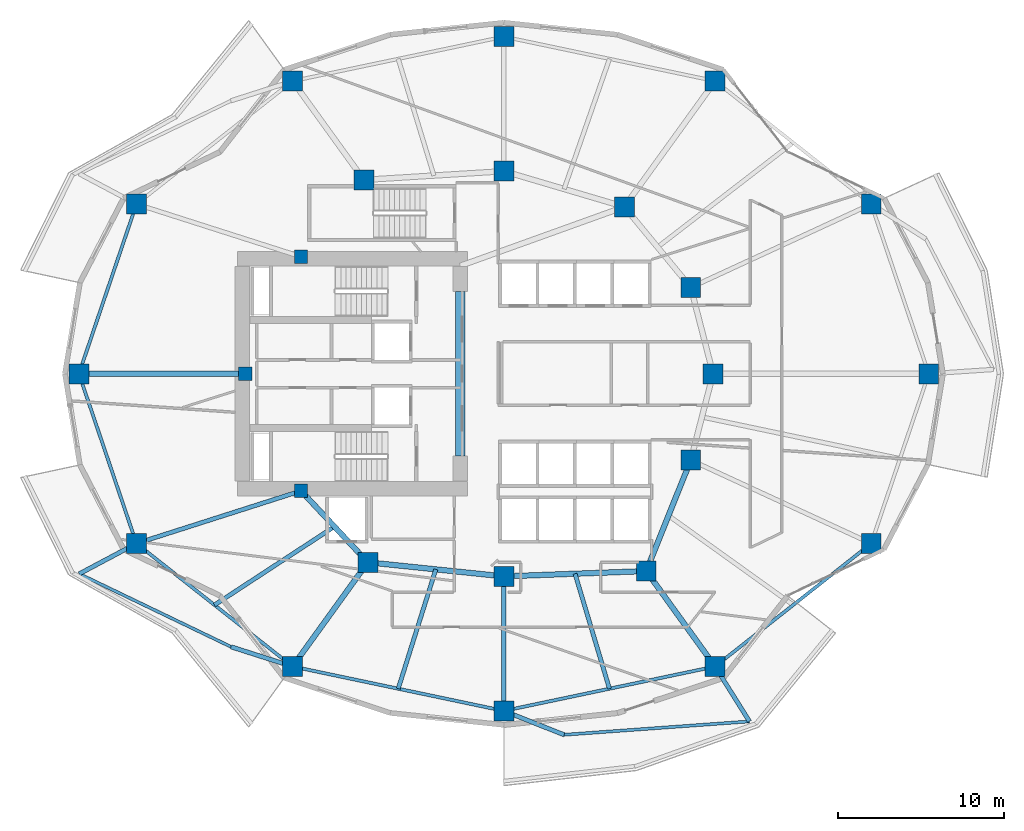
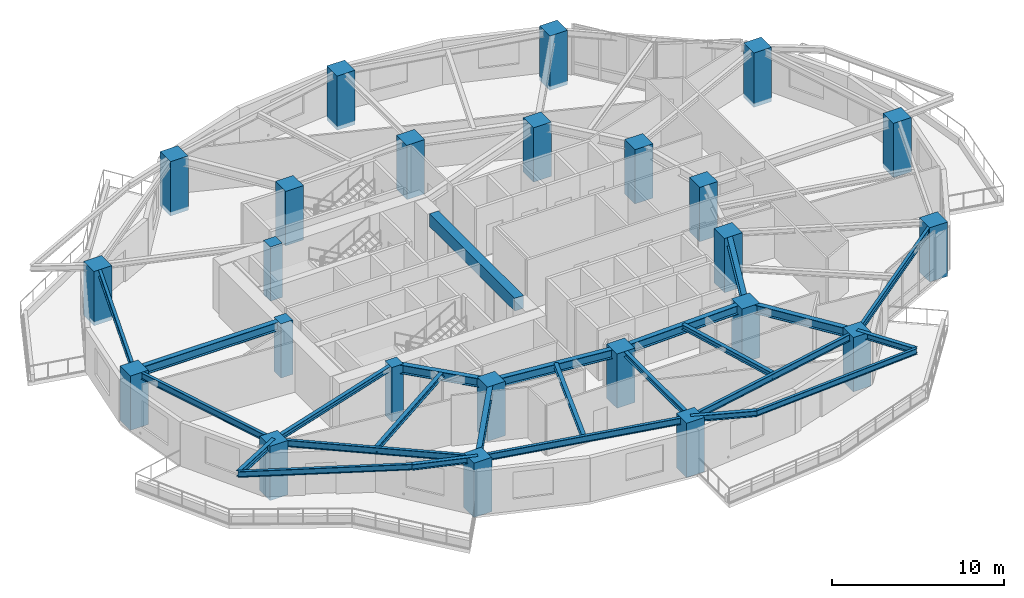
# One storey, part 1 of 13: 25 beams, 24 columns.
"""IFC4 building model written with IfcOpenShell, lengths in metres."""

from ifc_helpers import new_model, si_unit, direction, frame, origin, origin_2d, place, context, subcontext, project, spatial, rectangle, i_section, extrude, material, material_profile, profile_set, type_object, element, save


model = new_model("IFC4")

# Units and contexts
model_context = context("Model", 3, precision=1e-05, world=origin(), true_north=direction((0.0, 1.0)))
body_context = subcontext(model_context, "Body", "Model", "MODEL_VIEW")
ifc_project = project(units=[si_unit("LENGTHUNIT", "METRE"), si_unit("AREAUNIT", "SQUARE_METRE"), si_unit("VOLUMEUNIT", "CUBIC_METRE"), si_unit("PLANEANGLEUNIT", "RADIAN"), si_unit("MASSUNIT", "GRAM", prefix="KILO")], contexts=[model_context])

# Site, building, storey
site_placement = place(None, origin())
site = spatial("IfcSite", under=ifc_project, at=site_placement, CompositionType="ELEMENT")
building_placement = place(site_placement, origin())
building = spatial("IfcBuilding", under=site, at=building_placement, Name="Kolvaren Gate Tower and Convention Centre", CompositionType="ELEMENT")
storey_placement = place(building_placement, frame((0.0, 0.0, 76.550048828125)))
storey = spatial("IfcBuildingStorey", under=building, at=storey_placement, Name="L18", CompositionType="ELEMENT", Elevation=76.550048828125)

# Columns
ifc_material_1 = material(Name="Concrete C70/85", Category="concrete")
ifc_material_profile_1 = material_profile(ifc_material_1, rectangle(XDim=1.199951171875, YDim=1.199951171875, at=origin_2d()), Name="RC-COL-1200X1200")
ifc_profile_set_1 = profile_set([ifc_material_profile_1], Name="Concrete C70/85")
column_type_1 = type_object("IfcColumnType", Name="STR-COL-RC1200", PredefinedType="COLUMN", material=ifc_profile_set_1)
for number, where, z_axis, x_axis, name in (
    (1, (55.71240234375, 27.0, -0.280029296875), (0.0, 0.0, 1.0), (1.0, 0.0, 0.0), "Tower L18 Perimeter Supercolumn TP-01"),
    (2, (52.248779296875, 37.218505859375, -0.280029296875), (0.0, 0.0, 1.0), (1.0, 0.0, 0.0), "Tower L18 Perimeter Supercolumn TP-02"),
    (3, (42.846435546875, 44.627197265625, -0.280029296875), (0.0, 0.0, 1.0), (1.0, 0.0, 0.0), "Tower L18 Perimeter Supercolumn TP-03"),
    (4, (30.125, 47.300048828125, -0.280029296875), (0.0, 0.0, 1.0), (1.0, 0.0, 0.0), "Tower L18 Perimeter Supercolumn TP-04"),
    (5, (17.40380859375, 44.627197265625, -0.280029296875), (0.0, 0.0, 1.0), (1.0, 0.0, 0.0), "Tower L18 Perimeter Supercolumn TP-05"),
    (6, (8.001220703125, 37.218505859375, -0.280029296875), (0.0, 0.0, 1.0), (1.0, 0.0, 0.0), "Tower L18 Perimeter Supercolumn TP-06"),
    (7, (4.53759765625, 27.0, -0.280029296875), (0.0, 0.0, 1.0), (1.0, 0.0, 0.0), "Tower L18 Perimeter Supercolumn TP-07"),
    (8, (8.001220703125, 16.781494140625, -0.280029296875), (0.0, 0.0, 1.0), (1.0, 0.0, 0.0), "Tower L18 Perimeter Supercolumn TP-08"),
    (9, (17.403564453125, 9.372802734375, -0.280029296875), (0.0, 0.0, 1.0), (1.0, 0.0, 0.0), "Tower L18 Perimeter Supercolumn TP-09"),
    (10, (30.125, 6.699951171875, -0.280029296875), (0.0, 0.0, 1.0), (1.0, 0.0, 0.0), "Tower L18 Perimeter Supercolumn TP-10"),
    (11, (42.846435546875, 9.372802734375, -0.280029296875), (0.0, 0.0, 1.0), (1.0, 0.0, 0.0), "Tower L18 Perimeter Supercolumn TP-11"),
    (12, (52.248779296875, 16.781494140625, -0.280029296875), (0.0, 0.0, 1.0), (1.0, 0.0, 0.0), "Tower L18 Perimeter Supercolumn TP-12"),
    (13, (42.72509765625, 27.0, -0.280029296875), (0.0, 0.0, 1.0), (1.0, 0.0, 0.0), "Tower L18 Interior Column TI-01"),
    (14, (41.382080078125, 32.199462890625, -0.280029296875), (0.0, 0.0, 1.0), (1.0, 0.0, 0.0), "Tower L18 Interior Column TI-02"),
    (15, (37.381591796875, 37.054931640625, -0.280029296875), (0.0, 0.0, 1.0), (1.0, 0.0, 0.0), "Tower L18 Interior Column TI-03"),
    (16, (30.125, 39.199951171875, -0.280029296875), (0.0, 0.0, 1.0), (1.0, 0.0, 0.0), "Tower L18 Interior Column TI-04"),
    (17, (21.697998046875, 38.6767578125, -0.280029296875), (0.0, 0.0, 1.0), (1.0, 0.0, 0.0), "Tower L18 Interior Column TI-05"),
    (18, (21.93212890625, 15.647705078125, -0.280029296875), (0.0, 0.0, 1.0), (1.0, 0.0, 0.0), "Tower L18 Interior Column TI-06"),
    (19, (30.125, 14.800048828125, -0.280029296875), (0.0, 0.0, 1.0), (1.0, 0.0, 0.0), "Tower L18 Interior Column TI-07"),
    (20, (38.6982421875, 15.12060546875, -0.280029296875), (0.0, 0.0, 1.0), (1.0, 0.0, 0.0), "Tower L18 Interior Column TI-08"),
    (21, (41.382080078125, 21.800537109375, -0.280029296875), (0.0, 0.0, 1.0), (1.0, 0.0, 0.0), "Tower L18 Interior Column TI-09"),
):
    element("IfcColumn", number, at=place(storey_placement, frame(where, z_axis=z_axis, x_axis=x_axis)), inside=storey, type_object=column_type_1, Name=name, PredefinedType="COLUMN", context=body_context, shape_type="SweptSolid", body=[
        extrude(rectangle(XDim=1.199951171875, YDim=1.199951171875, at=origin_2d()), origin(), (0.0, 0.0, 1.0), 3.85009765625),
    ])
ifc_material_2 = material(Name="Concrete C60/75", Category="concrete")
ifc_material_profile_2 = material_profile(ifc_material_2, rectangle(XDim=0.800048828125, YDim=0.800048828125, at=origin_2d()), Name="RC-COL-800X800")
ifc_profile_set_2 = profile_set([ifc_material_profile_2], Name="Concrete C60/75")
column_type_2 = type_object("IfcColumnType", Name="STR-PIL-RC800", PredefinedType="PILASTER", material=ifc_profile_set_2)
for number, where, z_axis, x_axis, name in (
    (22, (17.9140625, 34.050048828125, -0.280029296875), (0.0, 0.0, 1.0), (1.0, 0.0, 0.0), "Tower L18 Core Boundary Pilaster TC-05"),
    (23, (14.550048828125, 27.0, -0.280029296875), (0.0, 0.0, 1.0), (1.0, 0.0, 0.0), "Tower L18 Core Boundary Pilaster TC-06"),
    (24, (17.9140625, 19.949951171875, -0.280029296875), (0.0, 0.0, 1.0), (1.0, 0.0, 0.0), "Tower L18 Core Boundary Pilaster TC-07"),
):
    element("IfcColumn", number, at=place(storey_placement, frame(where, z_axis=z_axis, x_axis=x_axis)), inside=storey, type_object=column_type_2, Name=name, PredefinedType="PILASTER", context=body_context, shape_type="SweptSolid", body=[
        extrude(rectangle(XDim=0.800048828125, YDim=0.800048828125, at=origin_2d()), origin(), (0.0, 0.0, 1.0), 3.85009765625),
    ])

# Beams
ifc_material_3 = material(Name="Structural steel ASTM A992 Grade 345 MPa", Category="steel")
ifc_material_profile_3 = material_profile(ifc_material_3, i_section(OverallWidth=0.260009765625, OverallDepth=0.419921875, WebThickness=0.013427734375, FlangeThickness=0.0224609375, at=origin_2d()), Name="W410X132")
ifc_profile_set_3 = profile_set([ifc_material_profile_3], Name="Structural steel ASTM A992 Grade 345 MPa")
beam_type_1 = type_object("IfcBeamType", Name="STR-BM-W410X132", PredefinedType="BEAM", material=ifc_profile_set_3)
beam_1_placement = place(storey_placement, frame((8.001220703125, 16.781494140625, 3.3603515625), z_axis=(-0.883204047485, -0.468988923649, 0.0), x_axis=(0.468988923649, -0.883204047485, 0.0)))
element("IfcBeam", 25, at=beam_1_placement, inside=storey, type_object=beam_type_1, Name="Tower L19 Planted Balcony Outrigger Cantilever BC-2A", PredefinedType="BEAM", context=body_context, shape_type="SweptSolid", body=[
    extrude(i_section(OverallWidth=0.260009765625, OverallDepth=0.419921875, WebThickness=0.013427734375, FlangeThickness=0.0224609375, at=origin_2d()), origin(), (0.0, 0.0, 1.0), 3.900146484375),
])
beam_2_placement = place(storey_placement, frame((17.403564453125, 9.372802734375, 3.3603515625), z_axis=(-0.952396522965, 0.304862039361, 0.0), x_axis=(-0.304862039361, -0.952396522965, 0.0)))
element("IfcBeam", 26, at=beam_2_placement, inside=storey, type_object=beam_type_1, Name="Tower L19 Planted Balcony Outrigger Cantilever BC-2B", PredefinedType="BEAM", context=body_context, shape_type="SweptSolid", body=[
    extrude(i_section(OverallWidth=0.260009765625, OverallDepth=0.419921875, WebThickness=0.013427734375, FlangeThickness=0.0224609375, at=origin_2d()), origin(), (0.0, 0.0, 1.0), 3.89990234375),
])
beam_3_placement = place(storey_placement, frame((30.125, 6.699951171875, 3.3603515625), z_axis=(0.929543503993, -0.368712454611, 0.0), x_axis=(0.368712454611, 0.929543503993, 0.0)))
element("IfcBeam", 27, at=beam_3_placement, inside=storey, type_object=beam_type_1, Name="Tower L19 Planted Balcony Outrigger Cantilever BC-3A", PredefinedType="BEAM", context=body_context, shape_type="SweptSolid", body=[
    extrude(i_section(OverallWidth=0.260009765625, OverallDepth=0.419921875, WebThickness=0.013427734375, FlangeThickness=0.0224609375, at=origin_2d()), origin(), (0.0, 0.0, 1.0), 3.900146484375),
])
beam_4_placement = place(storey_placement, frame((42.846435546875, 9.372802734375, 3.3603515625), z_axis=(0.530533394879, -0.847664035405, 0.0), x_axis=(0.847664035405, 0.530533394879, 0.0)))
element("IfcBeam", 28, at=beam_4_placement, inside=storey, type_object=beam_type_1, Name="Tower L19 Planted Balcony Outrigger Cantilever BC-3B", PredefinedType="BEAM", context=body_context, shape_type="SweptSolid", body=[
    extrude(i_section(OverallWidth=0.260009765625, OverallDepth=0.419921875, WebThickness=0.013427734375, FlangeThickness=0.0224609375, at=origin_2d()), origin(), (0.0, 0.0, 1.0), 3.89990234375),
])
ifc_material_profile_4 = material_profile(ifc_material_3, i_section(OverallWidth=0.327880859375, OverallDepth=0.6279296875, WebThickness=0.0166015625, FlangeThickness=0.027587890625, at=origin_2d()), Name="W610X217")
ifc_profile_set_4 = profile_set([ifc_material_profile_4], Name="Structural steel ASTM A992 Grade 345 MPa")
beam_type_2 = type_object("IfcBeamType", Name="STR-BM-W610X217", PredefinedType="BEAM", material=ifc_profile_set_4)
beam_5_placement = place(storey_placement, frame((17.9140625, 19.949951171875, 3.255859375), z_axis=(0.682557592987, -0.730831808459, 0.0), x_axis=(0.730831808459, 0.682557592987, 0.0)))
element("IfcBeam", 29, at=beam_5_placement, inside=storey, type_object=beam_type_2, Name="Tower L18 Primary Ring Girder G-06", PredefinedType="BEAM", context=body_context, shape_type="SweptSolid", body=[
    extrude(i_section(OverallWidth=0.327880859375, OverallDepth=0.6279296875, WebThickness=0.0166015625, FlangeThickness=0.027587890625, at=origin_2d()), origin(), (0.0, 0.0, 1.0), 5.88671875),
])
beam_6_placement = place(storey_placement, frame((21.93212890625, 15.647705078125, 3.255859375), z_axis=(0.994690329115, -0.102913308978, 0.0), x_axis=(0.102913308978, 0.994690329115, 0.0)))
element("IfcBeam", 30, at=beam_6_placement, inside=storey, type_object=beam_type_2, Name="Tower L18 Primary Ring Girder G-07", PredefinedType="BEAM", context=body_context, shape_type="SweptSolid", body=[
    extrude(i_section(OverallWidth=0.327880859375, OverallDepth=0.6279296875, WebThickness=0.0166015625, FlangeThickness=0.027587890625, at=origin_2d()), origin(), (0.0, 0.0, 1.0), 8.236572265625),
])
beam_7_placement = place(storey_placement, frame((30.125, 14.800048828125, 3.255859375), z_axis=(0.999301712453, 0.037364254142, 0.0), x_axis=(-0.037364254142, 0.999301712453, 0.0)))
element("IfcBeam", 31, at=beam_7_placement, inside=storey, type_object=beam_type_2, Name="Tower L18 Primary Ring Girder G-08", PredefinedType="BEAM", context=body_context, shape_type="SweptSolid", body=[
    extrude(i_section(OverallWidth=0.327880859375, OverallDepth=0.6279296875, WebThickness=0.0166015625, FlangeThickness=0.027587890625, at=origin_2d()), origin(), (0.0, 0.0, 1.0), 8.579345703125),
])
beam_8_placement = place(storey_placement, frame((38.6982421875, 15.12060546875, 3.255859375), z_axis=(0.372811100169, 0.927907260232, 0.0), x_axis=(-0.927907260232, 0.372811100169, 0.0)))
element("IfcBeam", 32, at=beam_8_placement, inside=storey, type_object=beam_type_2, Name="Tower L18 Primary Ring Girder G-09", PredefinedType="BEAM", context=body_context, shape_type="SweptSolid", body=[
    extrude(i_section(OverallWidth=0.327880859375, OverallDepth=0.6279296875, WebThickness=0.0166015625, FlangeThickness=0.027587890625, at=origin_2d()), origin(), (0.0, 0.0, 1.0), 7.198974609375),
])
beam_9_placement = place(storey_placement, frame((14.550048828125, 27.0, 3.255859375), z_axis=(-1.0, 0.0, 0.0), x_axis=(0.0, -1.0, 0.0)))
element("IfcBeam", 33, at=beam_9_placement, inside=storey, type_object=beam_type_2, Name="Tower L18 Radial Floor Girder RB-07", PredefinedType="BEAM", context=body_context, shape_type="SweptSolid", body=[
    extrude(i_section(OverallWidth=0.327880859375, OverallDepth=0.6279296875, WebThickness=0.0166015625, FlangeThickness=0.027587890625, at=origin_2d()), origin(), (0.0, 0.0, 1.0), 10.012451171875),
])
beam_10_placement = place(storey_placement, frame((21.93212890625, 15.647705078125, 3.255859375), z_axis=(-0.585209453994, -0.810882170821, 0.0), x_axis=(0.810882170821, -0.585209453994, 0.0)))
element("IfcBeam", 34, at=beam_10_placement, inside=storey, type_object=beam_type_2, Name="Tower L18 Radial Floor Girder RB-09", PredefinedType="BEAM", context=body_context, shape_type="SweptSolid", body=[
    extrude(i_section(OverallWidth=0.327880859375, OverallDepth=0.6279296875, WebThickness=0.0166015625, FlangeThickness=0.027587890625, at=origin_2d()), origin(), (0.0, 0.0, 1.0), 7.73828125),
])
beam_11_placement = place(storey_placement, frame((38.6982421875, 15.12060546875, 3.255859375), z_axis=(0.585212604054, -0.81087989743, 0.0), x_axis=(0.81087989743, 0.585212604054, 0.0)))
element("IfcBeam", 35, at=beam_11_placement, inside=storey, type_object=beam_type_2, Name="Tower L18 Radial Floor Girder RB-11", PredefinedType="BEAM", context=body_context, shape_type="SweptSolid", body=[
    extrude(i_section(OverallWidth=0.327880859375, OverallDepth=0.6279296875, WebThickness=0.0166015625, FlangeThickness=0.027587890625, at=origin_2d()), origin(), (0.0, 0.0, 1.0), 7.08837890625),
])
ifc_material_profile_5 = material_profile(ifc_material_3, i_section(OverallWidth=0.2548828125, OverallDepth=0.35693359375, WebThickness=0.010498046875, FlangeThickness=0.018310546875, at=origin_2d()), Name="W360X101")
ifc_profile_set_5 = profile_set([ifc_material_profile_5], Name="Structural steel ASTM A992 Grade 345 MPa")
beam_type_3 = type_object("IfcBeamType", Name="STR-JS-W360X101", PredefinedType="JOIST", material=ifc_profile_set_5)
beam_12_placement = place(storey_placement, frame((17.9140625, 19.949951171875, 3.391357421875), z_axis=(-0.952525967456, -0.304457355507, 0.0), x_axis=(0.304457355507, -0.952525967456, 0.0)))
element("IfcBeam", 36, at=beam_12_placement, inside=storey, type_object=beam_type_3, Name="Tower L18 Radial Floor Girder RB-08", PredefinedType="JOIST", context=body_context, shape_type="SweptSolid", body=[
    extrude(i_section(OverallWidth=0.2548828125, OverallDepth=0.35693359375, WebThickness=0.010498046875, FlangeThickness=0.018310546875, at=origin_2d()), origin(), (0.0, 0.0, 1.0), 10.406982421875),
])
beam_13_placement = place(storey_placement, frame((30.125, 14.800048828125, 3.391357421875), z_axis=(0.0, -1.0, 0.0), x_axis=(1.0, 0.0, 0.0)))
element("IfcBeam", 37, at=beam_13_placement, inside=storey, type_object=beam_type_3, Name="Tower L18 Radial Floor Girder RB-10", PredefinedType="JOIST", context=body_context, shape_type="SweptSolid", body=[
    extrude(i_section(OverallWidth=0.2548828125, OverallDepth=0.35693359375, WebThickness=0.010498046875, FlangeThickness=0.018310546875, at=origin_2d()), origin(), (0.0, 0.0, 1.0), 8.10009765625),
])
beam_14_placement = place(storey_placement, frame((19.923095703125, 17.798828125, 3.391357421875), z_axis=(-0.836945684387, -0.547285959428, 0.0), x_axis=(0.547285959428, -0.836945684387, 0.0)))
element("IfcBeam", 38, at=beam_14_placement, inside=storey, type_object=beam_type_3, Name="Tower L18 Secondary Composite Floor Joist J-08.1", PredefinedType="JOIST", context=body_context, shape_type="SweptSolid", body=[
    extrude(i_section(OverallWidth=0.2548828125, OverallDepth=0.35693359375, WebThickness=0.010498046875, FlangeThickness=0.018310546875, at=origin_2d()), origin(), (0.0, 0.0, 1.0), 8.62744140625),
])
beam_15_placement = place(storey_placement, frame((26.028564453125, 15.223876953125, 3.391357421875), z_axis=(-0.300467647472, -0.953792007108, 0.0), x_axis=(0.953792007108, -0.300467647472, 0.0)))
element("IfcBeam", 39, at=beam_15_placement, inside=storey, type_object=beam_type_3, Name="Tower L18 Secondary Composite Floor Joist J-09.1", PredefinedType="JOIST", context=body_context, shape_type="SweptSolid", body=[
    extrude(i_section(OverallWidth=0.2548828125, OverallDepth=0.35693359375, WebThickness=0.010498046875, FlangeThickness=0.018310546875, at=origin_2d()), origin(), (0.0, 0.0, 1.0), 7.535400390625),
])
beam_16_placement = place(storey_placement, frame((34.41162109375, 14.960205078125, 3.391357421875), z_axis=(0.286954287166, -0.957944276603, 0.0), x_axis=(0.957944276603, 0.286954287166, 0.0)))
element("IfcBeam", 40, at=beam_16_placement, inside=storey, type_object=beam_type_3, Name="Tower L18 Secondary Composite Floor Joist J-10.1", PredefinedType="JOIST", context=body_context, shape_type="SweptSolid", body=[
    extrude(i_section(OverallWidth=0.2548828125, OverallDepth=0.35693359375, WebThickness=0.010498046875, FlangeThickness=0.018310546875, at=origin_2d()), origin(), (0.0, 0.0, 1.0), 7.2275390625),
])
ifc_material_profile_6 = material_profile(ifc_material_2, rectangle(XDim=0.60009765625, YDim=0.89990234375, at=origin_2d()), Name="RC-BM-600X900")
ifc_profile_set_6 = profile_set([ifc_material_profile_6], Name="Concrete C60/75")
beam_type_4 = type_object("IfcBeamType", Name="STR-LN-RC600X900", PredefinedType="LINTEL", material=ifc_profile_set_6)
beam_17_placement = place(storey_placement, frame((27.5, 22.050048828125, 3.119873046875), z_axis=(0.0, 1.0, 0.0), x_axis=(-1.0, 0.0, 0.0)))
element("IfcBeam", 41, at=beam_17_placement, inside=storey, type_object=beam_type_4, Name="Tower L18 Core Ductile Coupling Beam CB-01", PredefinedType="LINTEL", context=body_context, shape_type="SweptSolid", body=[
    extrude(rectangle(XDim=0.60009765625, YDim=0.89990234375, at=origin_2d()), origin(), (0.0, 0.0, 1.0), 9.89990234375),
])
ifc_material_profile_7 = material_profile(ifc_material_3, i_section(OverallWidth=0.180908203125, OverallDepth=0.4169921875, WebThickness=0.010986328125, FlangeThickness=0.018310546875, at=origin_2d()), Name="W410X85")
ifc_profile_set_7 = profile_set([ifc_material_profile_7], Name="Structural steel ASTM A992 Grade 345 MPa")
beam_type_5 = type_object("IfcBeamType", Name="STR-SP-W410X85", PredefinedType="SPANDREL", material=ifc_profile_set_7)
beam_18_placement = place(storey_placement, frame((4.556640625, 14.952392578125, 3.362060546875), z_axis=(0.90125369106, -0.433291800466, 0.0), x_axis=(0.433291800466, 0.90125369106, 0.0)))
element("IfcBeam", 42, at=beam_18_placement, inside=storey, type_object=beam_type_5, Name="Tower L19 Planted Balcony Header Tie Beam BT-2", PredefinedType="SPANDREL", context=body_context, shape_type="SweptSolid", body=[
    extrude(i_section(OverallWidth=0.180908203125, OverallDepth=0.4169921875, WebThickness=0.010986328125, FlangeThickness=0.018310546875, at=origin_2d()), origin(), (0.0, 0.0, 1.0), 10.13330078125),
])
beam_19_placement = place(storey_placement, frame((33.750244140625, 5.261962890625, 3.362060546875), z_axis=(0.99741143149, 0.071905746171, 0.0), x_axis=(-0.071905746171, 0.99741143149, 0.0)))
element("IfcBeam", 43, at=beam_19_placement, inside=storey, type_object=beam_type_5, Name="Tower L19 Planted Balcony Header Tie Beam BT-3", PredefinedType="SPANDREL", context=body_context, shape_type="SweptSolid", body=[
    extrude(i_section(OverallWidth=0.180908203125, OverallDepth=0.4169921875, WebThickness=0.010986328125, FlangeThickness=0.018310546875, at=origin_2d()), origin(), (0.0, 0.0, 1.0), 11.1943359375),
])
ifc_material_profile_8 = material_profile(ifc_material_3, i_section(OverallWidth=0.194091796875, OverallDepth=0.468994140625, WebThickness=0.0126953125, FlangeThickness=0.0205078125, at=origin_2d()), Name="W460X106")
ifc_profile_set_8 = profile_set([ifc_material_profile_8], Name="Structural steel ASTM A992 Grade 345 MPa")
beam_type_6 = type_object("IfcBeamType", Name="STR-SP-W460X106", PredefinedType="SPANDREL", material=ifc_profile_set_8)
for number, where, z_axis, x_axis, name in (
    (44, (8.001220703125, 37.218505859375, 3.33544921875), (-0.321016233787, -0.947073691771, 0.0), (0.947073691771, -0.321016233787, 0.0), "Tower L18 Perimeter Spandrel Beam SP-06"),
    (45, (4.53759765625, 27.0, 3.33544921875), (0.321016233787, -0.947073691771, 0.0), (0.947073691771, 0.321016233787, 0.0), "Tower L18 Perimeter Spandrel Beam SP-07"),
):
    element("IfcBeam", number, at=place(storey_placement, frame(where, z_axis=z_axis, x_axis=x_axis)), inside=storey, type_object=beam_type_6, Name=name, PredefinedType="SPANDREL", context=body_context, shape_type="SweptSolid", body=[
        extrude(i_section(OverallWidth=0.194091796875, OverallDepth=0.468994140625, WebThickness=0.0126953125, FlangeThickness=0.0205078125, at=origin_2d()), origin(), (0.0, 0.0, 1.0), 10.78955078125),
    ])
beam_20_placement = place(storey_placement, frame((8.001220703125, 16.781494140625, 3.33544921875), z_axis=(0.785459824636, -0.618912646407, 0.0), x_axis=(0.618912646407, 0.785459824636, 0.0)))
element("IfcBeam", 46, at=beam_20_placement, inside=storey, type_object=beam_type_6, Name="Tower L18 Perimeter Spandrel Beam SP-08", PredefinedType="SPANDREL", context=body_context, shape_type="SweptSolid", body=[
    extrude(i_section(OverallWidth=0.194091796875, OverallDepth=0.468994140625, WebThickness=0.0126953125, FlangeThickness=0.0205078125, at=origin_2d()), origin(), (0.0, 0.0, 1.0), 11.970458984375),
])
for number, where, z_axis, x_axis, name in (
    (47, (17.403564453125, 9.372802734375, 3.33544921875), (0.978632602148, -0.205616706552, 0.0), (0.205616706552, 0.978632602148, 0.0), "Tower L18 Perimeter Spandrel Beam SP-09"),
    (48, (30.125, 6.699951171875, 3.33544921875), (0.978632602148, 0.205616706552, 0.0), (-0.205616706552, 0.978632602148, 0.0), "Tower L18 Perimeter Spandrel Beam SP-10"),
):
    element("IfcBeam", number, at=place(storey_placement, frame(where, z_axis=z_axis, x_axis=x_axis)), inside=storey, type_object=beam_type_6, Name=name, PredefinedType="SPANDREL", context=body_context, shape_type="SweptSolid", body=[
        extrude(i_section(OverallWidth=0.194091796875, OverallDepth=0.468994140625, WebThickness=0.0126953125, FlangeThickness=0.0205078125, at=origin_2d()), origin(), (0.0, 0.0, 1.0), 12.999267578125),
    ])
beam_21_placement = place(storey_placement, frame((42.846435546875, 9.372802734375, 3.33544921875), z_axis=(0.785459824636, 0.618912646407, 0.0), x_axis=(-0.618912646407, 0.785459824636, 0.0)))
element("IfcBeam", 49, at=beam_21_placement, inside=storey, type_object=beam_type_6, Name="Tower L18 Perimeter Spandrel Beam SP-11", PredefinedType="SPANDREL", context=body_context, shape_type="SweptSolid", body=[
    extrude(i_section(OverallWidth=0.194091796875, OverallDepth=0.468994140625, WebThickness=0.0126953125, FlangeThickness=0.0205078125, at=origin_2d()), origin(), (0.0, 0.0, 1.0), 11.970458984375),
])

save(model, "model.ifc")
